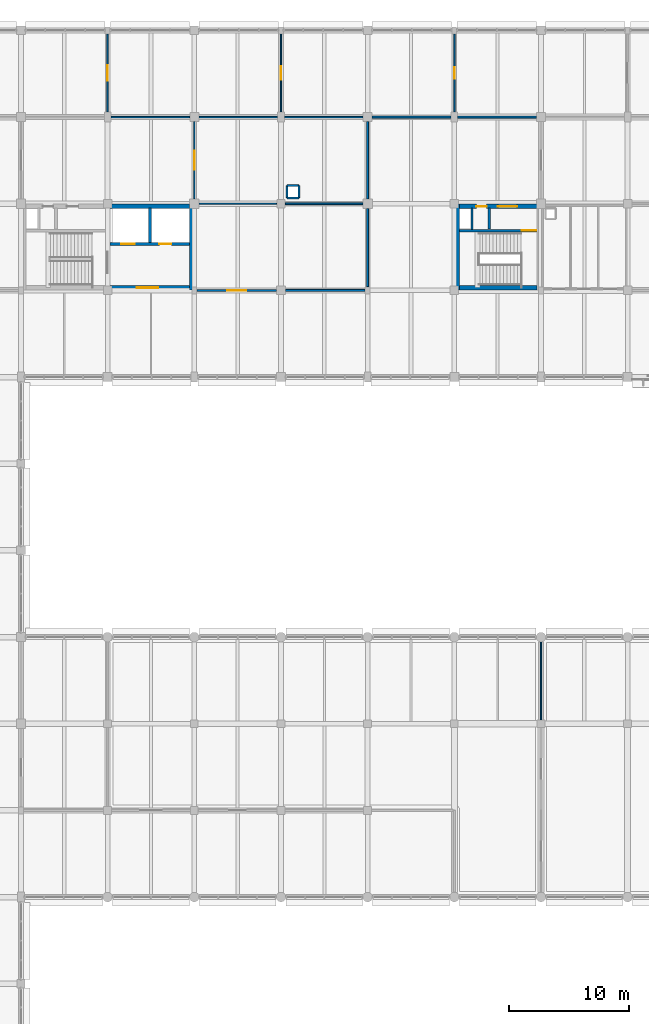
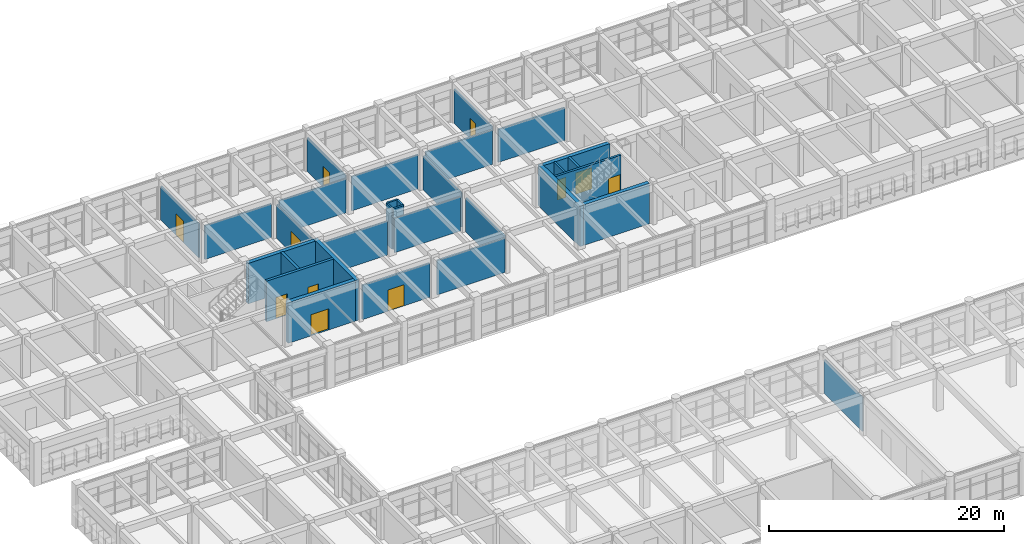
# One storey, part 156 of 171: 31 walls, 11 doors, 11 openings.
"""IFC4 building model written with IfcOpenShell, lengths in metres."""

from ifc_helpers import new_model, si_unit, direction, frame, frame_2d, origin, place, context, subcontext, project, spatial, rectangle, extrude, material, layer, layer_set, type_object, element, fill, save


model = new_model("IFC4")

# Units and contexts
model_context = context("Model", 3, precision=1e-05, world=origin(), true_north=direction((0.0, 1.0)))
body_context = subcontext(model_context, "Body", "Model", "MODEL_VIEW")
ifc_project = project(units=[si_unit("LENGTHUNIT", "METRE"), si_unit("AREAUNIT", "SQUARE_METRE"), si_unit("VOLUMEUNIT", "CUBIC_METRE"), si_unit("PLANEANGLEUNIT", "RADIAN"), si_unit("MASSUNIT", "GRAM", prefix="KILO")], contexts=[model_context])

# Site, building, storey
site_placement = place(None, origin())
site = spatial("IfcSite", under=ifc_project, at=site_placement, CompositionType="ELEMENT")
building_placement = place(site_placement, origin())
building = spatial("IfcBuilding", under=site, at=building_placement, Name="Thalmaran Polytechnic", CompositionType="ELEMENT")
storey_placement = place(building_placement, frame((0.0, 0.0, 5.39990234375)))
storey = spatial("IfcBuildingStorey", under=building, at=storey_placement, Name="L01", CompositionType="ELEMENT", Elevation=5.39990234375)

# Walls
ifc_material_1 = material(Name="Autoclaved aerated masonry", Category="masonry")
ifc_layer_1 = layer(ifc_material_1, 0.25, Name="Autoclaved aerated masonry")
ifc_layer_set_1 = layer_set([ifc_layer_1], Name="Autoclaved aerated masonry")
wall_type_1 = type_object("IfcWallType", Name="WL-IW01", PredefinedType="PARTITIONING", material=ifc_layer_set_1)
wall_1_placement = place(storey_placement, frame((32.300048828125, 104.780029296875, 0.0), z_axis=(0.0, 0.0, 1.0), x_axis=(0.0, 1.0, 0.0)))
element("IfcWall", 1, at=wall_1_placement, inside=storey, type_object=wall_type_1, Name="Core C2 Shaft Dividing Wall L01", PredefinedType="PARTITIONING", context=body_context, shape_type="SweptSolid", body=[
    extrude(rectangle(XDim=2.869873046875, YDim=0.25, at=frame_2d((1.43505859375, 0.0))), origin(), (0.0, 0.0, 1.0), 4.210205078125),
])
ifc_layer_2 = layer(ifc_material_1, 0.22998046875, Name="Autoclaved aerated masonry")
ifc_layer_set_2 = layer_set([ifc_layer_2], Name="Autoclaved aerated masonry")
wall_type_2 = type_object("IfcWallType", Name="WL-IW02", PredefinedType="PARTITIONING", material=ifc_layer_set_2)
wall_2_placement = place(storey_placement, frame((60.5, 105.89990234375, 0.0), z_axis=(0.0, 0.0, 1.0), x_axis=(0.0, 1.0, 0.0)))
element("IfcWall", 2, at=wall_2_placement, inside=storey, type_object=wall_type_2, Name="Core C6 Riser Partition L01", PredefinedType="PARTITIONING", context=body_context, shape_type="SweptSolid", body=[
    extrude(rectangle(XDim=1.739990234375, YDim=0.22998046875, at=frame_2d((0.8701171875, 0.0))), origin(), (0.0, 0.0, 1.0), 4.210205078125),
])
ifc_layer_3 = layer(ifc_material_1, 0.179931640625, Name="Autoclaved aerated masonry")
ifc_layer_set_3 = layer_set([ifc_layer_3], Name="Autoclaved aerated masonry")
wall_type_3 = type_object("IfcWallType", Name="WL-IW04", PredefinedType="PARTITIONING", material=ifc_layer_set_3)
wall_3_placement = place(storey_placement, frame((59.080078125, 105.8798828125, 0.0), z_axis=(0.0, 0.0, 1.0), x_axis=(0.0, 1.0, 0.0)))
element("IfcWall", 3, at=wall_3_placement, inside=storey, type_object=wall_type_3, Name="Core C6 Riser Shaft Enclosure Wall L01", PredefinedType="PARTITIONING", context=body_context, shape_type="SweptSolid", body=[
    extrude(rectangle(XDim=1.760009765625, YDim=0.179931640625, at=frame_2d((0.8798828125, 0.0))), origin(), (0.0, 0.0, 1.0), 4.210205078125),
])
for number, where, z_axis, x_axis, name in (
    (4, (43.68994140625, 108.489990234375, 0.0), (0.0, 0.0, 1.0), (1.0, 0.0, 0.0), "Fume Exhaust Riser Shaft Wall L01 (6,15)-S"),
    (5, (44.7099609375, 108.489990234375, 0.0), (0.0, 0.0, 1.0), (0.0, 1.0, 0.0), "Fume Exhaust Riser Shaft Wall L01 (6,15)-E"),
    (6, (44.7099609375, 109.510009765625, 0.0), (0.0, 0.0, 1.0), (-1.0, 0.0, 0.0), "Fume Exhaust Riser Shaft Wall L01 (6,15)-N"),
    (7, (43.68994140625, 109.510009765625, 0.0), (0.0, 0.0, 1.0), (0.0, -1.0, 0.0), "Fume Exhaust Riser Shaft Wall L01 (6,15)-W"),
):
    element("IfcWall", number, at=place(storey_placement, frame(where, z_axis=z_axis, x_axis=x_axis)), inside=storey, type_object=wall_type_3, Name=name, PredefinedType="PARTITIONING", context=body_context, shape_type="SweptSolid", body=[
        extrude(rectangle(XDim=1.02001953125, YDim=0.179931640625, at=frame_2d((0.510009765625, 0.0))), origin(), (0.0, 0.0, 1.0), 4.210205078125),
    ])

# Wall, opening, door
ifc_material_2 = material(Name="Gypsum acoustic partition")
ifc_layer_4 = layer(ifc_material_2, 0.159912109375, Name="Gypsum acoustic partition")
ifc_layer_set_4 = layer_set([ifc_layer_4], Name="Gypsum acoustic partition")
wall_type_4 = type_object("IfcWallType", Name="WL-IW05", PredefinedType="PARTITIONING", material=ifc_layer_set_4)
wall_4_placement = place(storey_placement, frame((36.205078125, 100.800048828125, 0.0), z_axis=(0.0, 0.0, 1.0), x_axis=(1.0, 0.0, 0.0)))
wall_4 = element("IfcWall", 8, at=wall_4_placement, inside=storey, type_object=wall_type_4, Name="Interior Partition IW05 L01-048", PredefinedType="PARTITIONING", context=body_context, shape_type="SweptSolid", body=[
    extrude(rectangle(XDim=6.6298828125, YDim=0.159912109375, at=frame_2d((3.31494140625, 0.0))), origin(), (0.0, 0.0, 1.0), 3.550048828125),
])
opening_1_placement = place(wall_4_placement, frame((2.514892578125, 0.0, 0.0)))
opening_1 = element("IfcOpeningElement", 9, at=opening_1_placement, cuts=wall_4, Name="Opening D-L01-018-2-04-1", PredefinedType="OPENING", context=body_context, shape_type="SweptSolid", body=[
    extrude(rectangle(XDim=1.60009765625, YDim=2.199951171875, at=frame_2d((0.800048828125, 1.10009765625))), frame((0.0, 0.08984375, 0.0), z_axis=(0.0, -1.0, 0.0), x_axis=(1.0, 0.0, 0.0)), (0.0, 0.0, 1.0), 0.179931640625),
])
ifc_material_3 = material(Name="Powder-coated fire-rated steel", Category="steel")
door_type_1 = type_object("IfcDoorType", Name="DR-FD05", OperationType="NOTDEFINED", PredefinedType="DOOR", material=ifc_material_3)
door_1_placement = place(opening_1_placement, origin())
door_1 = element("IfcDoor", 10, at=door_1_placement, inside=storey, type_object=door_type_1, Name="Technical Reference Library Reading Room L01-04 Door 1", OperationType="DOUBLE_DOOR_SINGLE_SWING", OverallHeight=2.199951171875, OverallWidth=1.60009765625, PredefinedType="DOOR", context=body_context, shape_type="SweptSolid", body=[
    extrude(rectangle(XDim=1.60009765625, YDim=2.199951171875, at=frame_2d((0.800048828125, 1.10009765625))), frame((0.0, 0.02490234375, 0.0), z_axis=(0.0, -1.0, 0.0), x_axis=(1.0, 0.0, 0.0)), (0.0, 0.0, 1.0), 0.050048828125),
])
fill(opening_1, door_1)

# Walls
wall_5_placement = place(storey_placement, frame((43.56494140625, 100.800048828125, 0.0), z_axis=(0.0, 0.0, 1.0), x_axis=(1.0, 0.0, 0.0)))
element("IfcWall", 11, at=wall_5_placement, inside=storey, type_object=wall_type_4, Name="Interior Partition IW05 L01-056", PredefinedType="PARTITIONING", context=body_context, shape_type="SweptSolid", body=[
    extrude(rectangle(XDim=6.630126953125, YDim=0.159912109375, at=frame_2d((3.31494140625, 0.0))), origin(), (0.0, 0.0, 1.0), 3.56005859375),
])
wall_6_placement = place(storey_placement, frame((50.39990234375, 101.10498046875, 0.0), z_axis=(0.0, 0.0, 1.0), x_axis=(0.0, 1.0, 0.0)))
element("IfcWall", 12, at=wall_6_placement, inside=storey, type_object=wall_type_4, Name="Interior Partition IW05 L01-057", PredefinedType="PARTITIONING", context=body_context, shape_type="SweptSolid", body=[
    extrude(rectangle(XDim=6.5, YDim=0.159912109375, at=frame_2d((3.25, 0.0))), origin(), (0.0, 0.0, 1.0), 3.525146484375),
])
wall_7_placement = place(storey_placement, frame((50.39990234375, 108.39501953125, 0.0), z_axis=(0.0, 0.0, 1.0), x_axis=(0.0, 1.0, 0.0)))
element("IfcWall", 13, at=wall_7_placement, inside=storey, type_object=wall_type_4, Name="Interior Partition IW05 L01-059", PredefinedType="PARTITIONING", context=body_context, shape_type="SweptSolid", body=[
    extrude(rectangle(XDim=6.425048828125, YDim=0.159912109375, at=frame_2d((3.21240234375, 0.0))), origin(), (0.0, 0.0, 1.0), 3.525146484375),
])
wall_8_placement = place(storey_placement, frame((50.780029296875, 115.199951171875, 0.0), z_axis=(0.0, 0.0, 1.0), x_axis=(1.0, 0.0, 0.0)))
element("IfcWall", 14, at=wall_8_placement, inside=storey, type_object=wall_type_4, Name="Interior Partition IW05 L01-067", PredefinedType="PARTITIONING", context=body_context, shape_type="SweptSolid", body=[
    extrude(rectangle(XDim=6.5400390625, YDim=0.159912109375, at=frame_2d((3.27001953125, 0.0))), origin(), (0.0, 0.0, 1.0), 3.570068359375),
])
wall_9_placement = place(storey_placement, frame((57.8798828125, 115.199951171875, 0.0), z_axis=(0.0, 0.0, 1.0), x_axis=(1.0, 0.0, 0.0)))
element("IfcWall", 15, at=wall_9_placement, inside=storey, type_object=wall_type_4, Name="Interior Partition IW05 L01-075", PredefinedType="PARTITIONING", context=body_context, shape_type="SweptSolid", body=[
    extrude(rectangle(XDim=6.5400390625, YDim=0.159912109375, at=frame_2d((3.27001953125, 0.0))), origin(), (0.0, 0.0, 1.0), 3.41015625),
])
ifc_layer_5 = layer(ifc_material_2, 0.1298828125, Name="Gypsum acoustic partition")
ifc_layer_set_5 = layer_set([ifc_layer_5], Name="Gypsum acoustic partition")
wall_type_5 = type_object("IfcWallType", Name="WL-IW07", PredefinedType="PARTITIONING", material=ifc_layer_set_5)
wall_10_placement = place(storey_placement, frame((29.080078125, 115.199951171875, 0.0), z_axis=(0.0, 0.0, 1.0), x_axis=(1.0, 0.0, 0.0)))
element("IfcWall", 16, at=wall_10_placement, inside=storey, type_object=wall_type_5, Name="Interior Partition IW07 L01-044", PredefinedType="PARTITIONING", context=body_context, shape_type="SweptSolid", body=[
    extrude(rectangle(XDim=6.5400390625, YDim=0.1298828125, at=frame_2d((3.27001953125, 0.0))), origin(), (0.0, 0.0, 1.0), 3.510009765625),
])
wall_11_placement = place(storey_placement, frame((36.3798828125, 115.199951171875, 0.0), z_axis=(0.0, 0.0, 1.0), x_axis=(1.0, 0.0, 0.0)))
element("IfcWall", 17, at=wall_11_placement, inside=storey, type_object=wall_type_5, Name="Interior Partition IW07 L01-050", PredefinedType="PARTITIONING", context=body_context, shape_type="SweptSolid", body=[
    extrude(rectangle(XDim=6.5400390625, YDim=0.1298828125, at=frame_2d((3.27001953125, 0.0))), origin(), (0.0, 0.0, 1.0), 3.550048828125),
])
wall_12_placement = place(storey_placement, frame((43.554931640625, 108.0, 0.0), z_axis=(0.0, 0.0, 1.0), x_axis=(1.0, 0.0, 0.0)))
element("IfcWall", 18, at=wall_12_placement, inside=storey, type_object=wall_type_5, Name="Interior Partition IW07 L01-058", PredefinedType="PARTITIONING", context=body_context, shape_type="SweptSolid", body=[
    extrude(rectangle(XDim=6.449951171875, YDim=0.1298828125, at=frame_2d((3.22509765625, 0.0))), origin(), (0.0, 0.0, 1.0), 3.56005859375),
])
wall_13_placement = place(storey_placement, frame((43.47998046875, 115.199951171875, 0.0), z_axis=(0.0, 0.0, 1.0), x_axis=(1.0, 0.0, 0.0)))
element("IfcWall", 19, at=wall_13_placement, inside=storey, type_object=wall_type_5, Name="Interior Partition IW07 L01-060", PredefinedType="PARTITIONING", context=body_context, shape_type="SweptSolid", body=[
    extrude(rectangle(XDim=6.5400390625, YDim=0.1298828125, at=frame_2d((3.27001953125, 0.0))), origin(), (0.0, 0.0, 1.0), 3.56005859375),
])

# Wall, opening, door
wall_14_placement = place(storey_placement, frame((57.60009765625, 115.6298828125, 0.0), z_axis=(0.0, 0.0, 1.0), x_axis=(0.0, 1.0, 0.0)))
wall_14 = element("IfcWall", 20, at=wall_14_placement, inside=storey, type_object=wall_type_5, Name="Interior Partition IW07 L01-068", PredefinedType="PARTITIONING", context=body_context, shape_type="SweptSolid", body=[
    extrude(rectangle(XDim=6.465087890625, YDim=0.1298828125, at=frame_2d((3.232421875, 0.0))), origin(), (0.0, 0.0, 1.0), 3.52001953125),
])
opening_2_placement = place(wall_14_placement, frame((2.757568359375, 0.0, 0.0)))
opening_2 = element("IfcOpeningElement", 21, at=opening_2_placement, cuts=wall_14, Name="Opening D-L01-035-2-21-1", PredefinedType="OPENING", context=body_context, shape_type="SweptSolid", body=[
    extrude(rectangle(XDim=0.949951171875, YDim=2.14990234375, at=frame_2d((0.47509765625, 1.074951171875))), frame((0.0, 0.074951171875, 0.0), z_axis=(0.0, -1.0, 0.0), x_axis=(1.0, 0.0, 0.0)), (0.0, 0.0, 1.0), 0.14990234375),
])
door_type_2 = type_object("IfcDoorType", Name="DR-FD08", OperationType="NOTDEFINED", PredefinedType="DOOR", material=ifc_material_3)
door_2_placement = place(opening_2_placement, origin())
door_2 = element("IfcDoor", 22, at=door_2_placement, inside=storey, type_object=door_type_2, Name="Urban Design Studio L01-21 Door 1", OperationType="SINGLE_SWING_LEFT", OverallHeight=2.14990234375, OverallWidth=0.949951171875, PredefinedType="DOOR", context=body_context, shape_type="SweptSolid", body=[
    extrude(rectangle(XDim=0.949951171875, YDim=2.14990234375, at=frame_2d((0.47509765625, 1.074951171875))), frame((0.0, 0.02490234375, 0.0), z_axis=(0.0, -1.0, 0.0), x_axis=(1.0, 0.0, 0.0)), (0.0, 0.0, 1.0), 0.050048828125),
])
fill(opening_2, door_2)

ifc_layer_6 = layer(ifc_material_2, 0.114990234375, Name="Gypsum acoustic partition")
ifc_layer_set_6 = layer_set([ifc_layer_6], Name="Gypsum acoustic partition")
wall_type_6 = type_object("IfcWallType", Name="WL-IW08", PredefinedType="PARTITIONING", material=ifc_layer_set_6)
wall_15_placement = place(storey_placement, frame((28.800048828125, 115.6298828125, 0.0), z_axis=(0.0, 0.0, 1.0), x_axis=(0.0, 1.0, 0.0)))
wall_15 = element("IfcWall", 23, at=wall_15_placement, inside=storey, type_object=wall_type_6, Name="Interior Partition IW08 L01-039", PredefinedType="PARTITIONING", context=body_context, shape_type="SweptSolid", body=[
    extrude(rectangle(XDim=6.465087890625, YDim=0.114990234375, at=frame_2d((3.232421875, 0.0))), origin(), (0.0, 0.0, 1.0), 3.52001953125),
])
opening_3_placement = place(wall_15_placement, frame((2.592529296875, 0.0, 0.0)))
opening_3 = element("IfcOpeningElement", 24, at=opening_3_placement, cuts=wall_15, Name="Opening D-L01-033-2-19-1", PredefinedType="OPENING", context=body_context, shape_type="SweptSolid", body=[
    extrude(rectangle(XDim=1.280029296875, YDim=2.239990234375, at=frame_2d((0.64013671875, 1.1201171875))), frame((0.0, 0.0673828125, 0.0), z_axis=(0.0, -1.0, 0.0), x_axis=(1.0, 0.0, 0.0)), (0.0, 0.0, 1.0), 0.135009765625),
])
door_type_3 = type_object("IfcDoorType", Name="DR-ZD10", OperationType="NOTDEFINED", PredefinedType="DOOR", material=ifc_material_3)
door_3_placement = place(opening_3_placement, origin())
door_3 = element("IfcDoor", 25, at=door_3_placement, inside=storey, type_object=door_type_3, Name="Digital Learning Commons L01-19 Door 1", OperationType="SINGLE_SWING_LEFT", OverallHeight=2.239990234375, OverallWidth=1.280029296875, PredefinedType="DOOR", context=body_context, shape_type="SweptSolid", body=[
    extrude(rectangle(XDim=1.280029296875, YDim=2.239990234375, at=frame_2d((0.64013671875, 1.1201171875))), frame((0.0, 0.02490234375, 0.0), z_axis=(0.0, -1.0, 0.0), x_axis=(1.0, 0.0, 0.0)), (0.0, 0.0, 1.0), 0.050048828125),
])
fill(opening_3, door_3)

wall_16_placement = place(storey_placement, frame((36.0, 108.39501953125, 0.0), z_axis=(0.0, 0.0, 1.0), x_axis=(0.0, 1.0, 0.0)))
wall_16 = element("IfcWall", 26, at=wall_16_placement, inside=storey, type_object=wall_type_6, Name="Interior Partition IW08 L01-043", PredefinedType="PARTITIONING", context=body_context, shape_type="SweptSolid", body=[
    extrude(rectangle(XDim=6.425048828125, YDim=0.114990234375, at=frame_2d((3.21240234375, 0.0))), origin(), (0.0, 0.0, 1.0), 3.525146484375),
])
opening_4_placement = place(wall_16_placement, frame((2.41259765625, 0.0, 0.0)))
opening_4 = element("IfcOpeningElement", 27, at=opening_4_placement, cuts=wall_16, Name="Opening D-L01-025-2-11-1", PredefinedType="OPENING", context=body_context, shape_type="SweptSolid", body=[
    extrude(rectangle(XDim=1.60009765625, YDim=2.199951171875, at=frame_2d((0.800048828125, 1.10009765625))), frame((0.0, 0.0673828125, 0.0), z_axis=(0.0, -1.0, 0.0), x_axis=(1.0, 0.0, 0.0)), (0.0, 0.0, 1.0), 0.135009765625),
])
door_4_placement = place(opening_4_placement, origin())
door_4 = element("IfcDoor", 28, at=door_4_placement, inside=storey, type_object=door_type_1, Name="Polytechnic Library Reading Hall L01-11 Door 1", OperationType="DOUBLE_DOOR_SINGLE_SWING", OverallHeight=2.199951171875, OverallWidth=1.60009765625, PredefinedType="DOOR", context=body_context, shape_type="SweptSolid", body=[
    extrude(rectangle(XDim=1.60009765625, YDim=2.199951171875, at=frame_2d((0.800048828125, 1.10009765625))), frame((0.0, 0.02490234375, 0.0), z_axis=(0.0, -1.0, 0.0), x_axis=(1.0, 0.0, 0.0)), (0.0, 0.0, 1.0), 0.050048828125),
])
fill(opening_4, door_4)

# Wall
wall_17_placement = place(storey_placement, frame((36.39501953125, 108.0, 0.0), z_axis=(0.0, 0.0, 1.0), x_axis=(1.0, 0.0, 0.0)))
element("IfcWall", 29, at=wall_17_placement, inside=storey, type_object=wall_type_6, Name="Interior Partition IW08 L01-049", PredefinedType="PARTITIONING", context=body_context, shape_type="SweptSolid", body=[
    extrude(rectangle(XDim=6.449951171875, YDim=0.114990234375, at=frame_2d((3.22509765625, 0.0))), origin(), (0.0, 0.0, 1.0), 3.550048828125),
])

# Wall, opening, door
wall_18_placement = place(storey_placement, frame((43.199951171875, 115.6298828125, 0.0), z_axis=(0.0, 0.0, 1.0), x_axis=(0.0, 1.0, 0.0)))
wall_18 = element("IfcWall", 30, at=wall_18_placement, inside=storey, type_object=wall_type_6, Name="Interior Partition IW08 L01-051", PredefinedType="PARTITIONING", context=body_context, shape_type="SweptSolid", body=[
    extrude(rectangle(XDim=6.465087890625, YDim=0.114990234375, at=frame_2d((3.232421875, 0.0))), origin(), (0.0, 0.0, 1.0), 3.52001953125),
])
opening_5_placement = place(wall_18_placement, frame((2.6826171875, 0.0, 0.0)))
opening_5 = element("IfcOpeningElement", 31, at=opening_5_placement, cuts=wall_18, Name="Opening D-L01-034-2-20-1", PredefinedType="OPENING", context=body_context, shape_type="SweptSolid", body=[
    extrude(rectangle(XDim=1.10009765625, YDim=2.14990234375, at=frame_2d((0.550048828125, 1.074951171875))), frame((0.0, 0.0673828125, 0.0), z_axis=(0.0, -1.0, 0.0), x_axis=(1.0, 0.0, 0.0)), (0.0, 0.0, 1.0), 0.135009765625),
])
door_type_4 = type_object("IfcDoorType", Name="DR-FD07", OperationType="NOTDEFINED", PredefinedType="DOOR", material=ifc_material_3)
door_5_placement = place(opening_5_placement, origin())
door_5 = element("IfcDoor", 32, at=door_5_placement, inside=storey, type_object=door_type_4, Name="Seminar Room L01-20 Door 1", OperationType="SINGLE_SWING_RIGHT", OverallHeight=2.14990234375, OverallWidth=1.10009765625, PredefinedType="DOOR", context=body_context, shape_type="SweptSolid", body=[
    extrude(rectangle(XDim=1.10009765625, YDim=2.14990234375, at=frame_2d((0.550048828125, 1.074951171875))), frame((0.0, 0.02490234375, 0.0), z_axis=(0.0, -1.0, 0.0), x_axis=(1.0, 0.0, 0.0)), (0.0, 0.0, 1.0), 0.050048828125),
])
fill(opening_5, door_5)

# Wall
wall_19_placement = place(storey_placement, frame((64.800048828125, 65.1298828125, 0.0), z_axis=(0.0, 0.0, 1.0), x_axis=(0.0, 1.0, 0.0)))
element("IfcWall", 33, at=wall_19_placement, inside=storey, type_object=wall_type_6, Name="Interior Partition IW08 L01-073", PredefinedType="PARTITIONING", context=body_context, shape_type="SweptSolid", body=[
    extrude(rectangle(XDim=6.465087890625, YDim=0.114990234375, at=frame_2d((3.232421875, 0.0))), origin(), (0.0, 0.0, 1.0), 3.52001953125),
])

# Wall, opening, door
ifc_material_4 = material(Name="Concrete C50/60", Category="concrete")
ifc_layer_7 = layer(ifc_material_4, 0.3798828125, Name="Concrete C50/60")
ifc_layer_set_7 = layer_set([ifc_layer_7], Name="Concrete C50/60")
wall_type_7 = type_object("IfcWallType", Name="WL-SW02", PredefinedType="SHEAR", material=ifc_layer_set_7)
wall_20_placement = place(storey_placement, frame((28.989990234375, 101.02001953125, 0.0), z_axis=(0.0, 0.0, 1.0), x_axis=(1.0, 0.0, 0.0)))
wall_20 = element("IfcWall", 34, at=wall_20_placement, inside=storey, type_object=wall_type_7, Name="Core C2 Lobby South Wall L01", PredefinedType="SHEAR", context=body_context, shape_type="SweptSolid", body=[
    extrude(rectangle(XDim=6.60009765625, YDim=0.3798828125, at=frame_2d((3.300048828125, 0.0))), origin(), (0.0, 0.0, 1.0), 4.210205078125),
])
opening_6_placement = place(wall_20_placement, frame((2.219970703125, 0.0, 0.0)))
opening_6 = element("IfcOpeningElement", 35, at=opening_6_placement, cuts=wall_20, Name="Opening FD-C2-L01", PredefinedType="OPENING", context=body_context, shape_type="SweptSolid", body=[
    extrude(rectangle(XDim=1.800048828125, YDim=2.199951171875, at=frame_2d((0.89990234375, 1.10009765625))), frame((0.0, 0.199951171875, 0.0), z_axis=(0.0, -1.0, 0.0), x_axis=(1.0, 0.0, 0.0)), (0.0, 0.0, 1.0), 0.39990234375),
])
door_type_5 = type_object("IfcDoorType", Name="DR-FD01", OperationType="NOTDEFINED", PredefinedType="DOOR", material=ifc_material_3)
door_6_placement = place(opening_6_placement, origin())
door_6 = element("IfcDoor", 36, at=door_6_placement, inside=storey, type_object=door_type_5, Name="Firefighting Lift Lobby Entrance Door C2 L01", OperationType="DOUBLE_DOOR_SINGLE_SWING", OverallHeight=2.199951171875, OverallWidth=1.800048828125, PredefinedType="DOOR", context=body_context, shape_type="SweptSolid", body=[
    extrude(rectangle(XDim=1.800048828125, YDim=2.199951171875, at=frame_2d((0.89990234375, 1.10009765625))), frame((0.0, 0.02490234375, 0.0), z_axis=(0.0, -1.0, 0.0), x_axis=(1.0, 0.0, 0.0)), (0.0, 0.0, 1.0), 0.050048828125),
])
fill(opening_6, door_6)

# Walls
wall_21_placement = place(storey_placement, frame((35.780029296875, 100.830078125, 0.0), z_axis=(0.0, 0.0, 1.0), x_axis=(0.0, 1.0, 0.0)))
element("IfcWall", 37, at=wall_21_placement, inside=storey, type_object=wall_type_7, Name="Core C2 Lobby East Shear Wall L01", PredefinedType="SHEAR", context=body_context, shape_type="SweptSolid", body=[
    extrude(rectangle(XDim=7.139892578125, YDim=0.3798828125, at=frame_2d((3.56982421875, 0.0))), origin(), (0.0, 0.0, 1.0), 4.210205078125),
])
wall_22_placement = place(storey_placement, frame((28.989990234375, 107.780029296875, 0.0), z_axis=(0.0, 0.0, 1.0), x_axis=(1.0, 0.0, 0.0)))
element("IfcWall", 38, at=wall_22_placement, inside=storey, type_object=wall_type_7, Name="Core C2 Lift Shaft Back Shear Wall L01", PredefinedType="SHEAR", context=body_context, shape_type="SweptSolid", body=[
    extrude(rectangle(XDim=6.60009765625, YDim=0.3798828125, at=frame_2d((3.300048828125, 0.0))), origin(), (0.0, 0.0, 1.0), 4.210205078125),
])

# Wall, openings, doors
wall_23_placement = place(storey_placement, frame((28.989990234375, 104.64990234375, 0.0), z_axis=(0.0, 0.0, 1.0), x_axis=(1.0, 0.0, 0.0)))
wall_23 = element("IfcWall", 39, at=wall_23_placement, inside=storey, type_object=wall_type_7, Name="Core C2 Lift Landing Front Wall L01", PredefinedType="SHEAR", context=body_context, shape_type="SweptSolid", body=[
    extrude(rectangle(XDim=6.60009765625, YDim=0.260009765625, at=frame_2d((3.300048828125, 0.0))), origin(), (0.0, 0.0, 1.0), 4.210205078125),
])
opening_7_placement = place(wall_23_placement, frame((0.949951171875, 0.0, 0.0)))
opening_7 = element("IfcOpeningElement", 40, at=opening_7_placement, cuts=wall_23, Name="Opening LD-FL-02-L01", PredefinedType="OPENING", context=body_context, shape_type="SweptSolid", body=[
    extrude(rectangle(XDim=1.10009765625, YDim=2.199951171875, at=frame_2d((0.550048828125, 1.10009765625))), frame((0.0, 0.139892578125, 0.0), z_axis=(0.0, -1.0, 0.0), x_axis=(1.0, 0.0, 0.0)), (0.0, 0.0, 1.0), 0.280029296875),
])
opening_8_placement = place(wall_23_placement, frame((4.10009765625, 0.0, 0.0)))
opening_8 = element("IfcOpeningElement", 41, at=opening_8_placement, cuts=wall_23, Name="Opening LD-PL-03-L01", PredefinedType="OPENING", context=body_context, shape_type="SweptSolid", body=[
    extrude(rectangle(XDim=1.0, YDim=2.14990234375, at=frame_2d((0.5, 1.074951171875))), frame((0.0, 0.139892578125, 0.0), z_axis=(0.0, -1.0, 0.0), x_axis=(1.0, 0.0, 0.0)), (0.0, 0.0, 1.0), 0.280029296875),
])
ifc_material_5 = material(Name="Brushed stainless steel lift door", Category="steel")
door_type_6 = type_object("IfcDoorType", Name="DR-LD01", OperationType="NOTDEFINED", PredefinedType="DOOR", material=ifc_material_5)
door_7_placement = place(opening_7_placement, origin())
door_7 = element("IfcDoor", 42, at=door_7_placement, inside=storey, type_object=door_type_6, Name="Lift Landing Door FL-02 L01", OperationType="SLIDING_TO_LEFT", OverallHeight=2.199951171875, OverallWidth=1.10009765625, PredefinedType="DOOR", context=body_context, shape_type="SweptSolid", body=[
    extrude(rectangle(XDim=1.10009765625, YDim=2.199951171875, at=frame_2d((0.550048828125, 1.10009765625))), frame((0.0, 0.02490234375, 0.0), z_axis=(0.0, -1.0, 0.0), x_axis=(1.0, 0.0, 0.0)), (0.0, 0.0, 1.0), 0.050048828125),
])
fill(opening_7, door_7)
door_type_7 = type_object("IfcDoorType", Name="DR-LD02", OperationType="NOTDEFINED", PredefinedType="DOOR", material=ifc_material_5)
door_8_placement = place(opening_8_placement, origin())
door_8 = element("IfcDoor", 43, at=door_8_placement, inside=storey, type_object=door_type_7, Name="Lift Landing Door PL-03 L01", OperationType="SLIDING_TO_RIGHT", OverallHeight=2.14990234375, OverallWidth=1.0, PredefinedType="DOOR", context=body_context, shape_type="SweptSolid", body=[
    extrude(rectangle(XDim=1.0, YDim=2.14990234375, at=frame_2d((0.5, 1.074951171875))), frame((0.0, 0.02490234375, 0.0), z_axis=(0.0, -1.0, 0.0), x_axis=(1.0, 0.0, 0.0)), (0.0, 0.0, 1.0), 0.050048828125),
])
fill(opening_8, door_8)

# Walls
wall_24_placement = place(storey_placement, frame((58.010009765625, 101.02001953125, 0.0), z_axis=(0.0, 0.0, 1.0), x_axis=(1.0, 0.0, 0.0)))
element("IfcWall", 44, at=wall_24_placement, inside=storey, type_object=wall_type_7, Name="Core C6 South Shear Wall L01", PredefinedType="SHEAR", context=body_context, shape_type="SweptSolid", body=[
    extrude(rectangle(XDim=6.4599609375, YDim=0.3798828125, at=frame_2d((3.22998046875, 0.0))), origin(), (0.0, 0.0, 1.0), 4.210205078125),
])
wall_25_placement = place(storey_placement, frame((57.820068359375, 107.969970703125, 0.0), z_axis=(0.0, 0.0, 1.0), x_axis=(0.0, -1.0, 0.0)))
element("IfcWall", 45, at=wall_25_placement, inside=storey, type_object=wall_type_7, Name="Core C6 West Shear Wall L01", PredefinedType="SHEAR", context=body_context, shape_type="SweptSolid", body=[
    extrude(rectangle(XDim=7.139892578125, YDim=0.3798828125, at=frame_2d((3.56982421875, 0.0))), origin(), (0.0, 0.0, 1.0), 4.210205078125),
])

# Wall, openings, doors
wall_26_placement = place(storey_placement, frame((58.010009765625, 107.780029296875, 0.0), z_axis=(0.0, 0.0, 1.0), x_axis=(1.0, 0.0, 0.0)))
wall_26 = element("IfcWall", 46, at=wall_26_placement, inside=storey, type_object=wall_type_7, Name="Core C6 North Shear Wall L01", PredefinedType="SHEAR", context=body_context, shape_type="SweptSolid", body=[
    extrude(rectangle(XDim=6.4599609375, YDim=0.3798828125, at=frame_2d((3.22998046875, 0.0))), origin(), (0.0, 0.0, 1.0), 4.210205078125),
])
opening_9_placement = place(wall_26_placement, frame((1.419921875, 0.0, 0.0)))
opening_9 = element("IfcOpeningElement", 47, at=opening_9_placement, cuts=wall_26, Name="Opening DR-C6-L01-R", PredefinedType="OPENING", context=body_context, shape_type="SweptSolid", body=[
    extrude(rectangle(XDim=0.85009765625, YDim=2.10009765625, at=frame_2d((0.425048828125, 1.050048828125))), frame((0.0, 0.199951171875, 0.0), z_axis=(0.0, -1.0, 0.0), x_axis=(1.0, 0.0, 0.0)), (0.0, 0.0, 1.0), 0.39990234375),
])
opening_10_placement = place(wall_26_placement, frame((3.199951171875, 0.0, 0.0)))
opening_10 = element("IfcOpeningElement", 48, at=opening_10_placement, cuts=wall_26, Name="Opening LD-C6-L01", PredefinedType="OPENING", context=body_context, shape_type="SweptSolid", body=[
    extrude(rectangle(XDim=1.60009765625, YDim=2.199951171875, at=frame_2d((0.800048828125, 1.10009765625))), frame((0.0, 0.199951171875, 0.0), z_axis=(0.0, -1.0, 0.0), x_axis=(1.0, 0.0, 0.0)), (0.0, 0.0, 1.0), 0.39990234375),
])
door_9_placement = place(opening_10_placement, frame((1.60009765625, 0.0, 0.0), z_axis=(0.0, 0.0, 1.0), x_axis=(-1.0, 0.0, 0.0)))
door_9 = element("IfcDoor", 49, at=door_9_placement, inside=storey, type_object=door_type_1, Name="Stair Lobby Fire Door C6 L01", OperationType="DOUBLE_DOOR_SINGLE_SWING", OverallHeight=2.199951171875, OverallWidth=1.60009765625, PredefinedType="DOOR", context=body_context, shape_type="SweptSolid", body=[
    extrude(rectangle(XDim=1.60009765625, YDim=2.199951171875, at=frame_2d((0.800048828125, 1.10009765625))), frame((0.0, 0.02490234375, 0.0), z_axis=(0.0, -1.0, 0.0), x_axis=(1.0, 0.0, 0.0)), (0.0, 0.0, 1.0), 0.050048828125),
])
fill(opening_10, door_9)
door_type_8 = type_object("IfcDoorType", Name="DR-FD09", OperationType="NOTDEFINED", PredefinedType="DOOR", material=ifc_material_3)
door_10_placement = place(opening_9_placement, origin())
door_10 = element("IfcDoor", 50, at=door_10_placement, inside=storey, type_object=door_type_8, Name="Riser Access Fire Door C6 L01", OperationType="SINGLE_SWING_RIGHT", OverallHeight=2.10009765625, OverallWidth=0.85009765625, PredefinedType="DOOR", context=body_context, shape_type="SweptSolid", body=[
    extrude(rectangle(XDim=0.85009765625, YDim=2.10009765625, at=frame_2d((0.425048828125, 1.050048828125))), frame((0.0, 0.02490234375, 0.0), z_axis=(0.0, -1.0, 0.0), x_axis=(1.0, 0.0, 0.0)), (0.0, 0.0, 1.0), 0.050048828125),
])
fill(opening_9, door_10)

# Wall, opening, door
wall_27_placement = place(storey_placement, frame((58.010009765625, 105.760009765625, 0.0), z_axis=(0.0, 0.0, 1.0), x_axis=(1.0, 0.0, 0.0)))
wall_27 = element("IfcWall", 51, at=wall_27_placement, inside=storey, type_object=wall_type_7, Name="Core C6 Stair Partition L01", PredefinedType="SHEAR", context=body_context, shape_type="SweptSolid", body=[
    extrude(rectangle(XDim=6.4599609375, YDim=0.219970703125, at=frame_2d((3.22998046875, 0.0))), origin(), (0.0, 0.0, 1.0), 4.210205078125),
])
opening_11_placement = place(wall_27_placement, frame((5.199951171875, 0.0, 0.0)))
opening_11 = element("IfcOpeningElement", 52, at=opening_11_placement, cuts=wall_27, Name="Opening SD-ST6-L01", PredefinedType="OPENING", context=body_context, shape_type="SweptSolid", body=[
    extrude(rectangle(XDim=1.199951171875, YDim=2.199951171875, at=frame_2d((0.60009765625, 1.10009765625))), frame((0.0, 0.119873046875, 0.0), z_axis=(0.0, -1.0, 0.0), x_axis=(1.0, 0.0, 0.0)), (0.0, 0.0, 1.0), 0.239990234375),
])
door_type_9 = type_object("IfcDoorType", Name="DR-FD04", OperationType="NOTDEFINED", PredefinedType="DOOR", material=ifc_material_3)
door_11_placement = place(opening_11_placement, origin())
door_11 = element("IfcDoor", 53, at=door_11_placement, inside=storey, type_object=door_type_9, Name="Exit Stair Fire Door ST6 L01", OperationType="DOUBLE_DOOR_SINGLE_SWING", OverallHeight=2.199951171875, OverallWidth=1.199951171875, PredefinedType="DOOR", context=body_context, shape_type="SweptSolid", body=[
    extrude(rectangle(XDim=1.199951171875, YDim=2.199951171875, at=frame_2d((0.60009765625, 1.10009765625))), frame((0.0, 0.02490234375, 0.0), z_axis=(0.0, -1.0, 0.0), x_axis=(1.0, 0.0, 0.0)), (0.0, 0.0, 1.0), 0.050048828125),
])
fill(opening_11, door_11)

save(model, "model.ifc")
